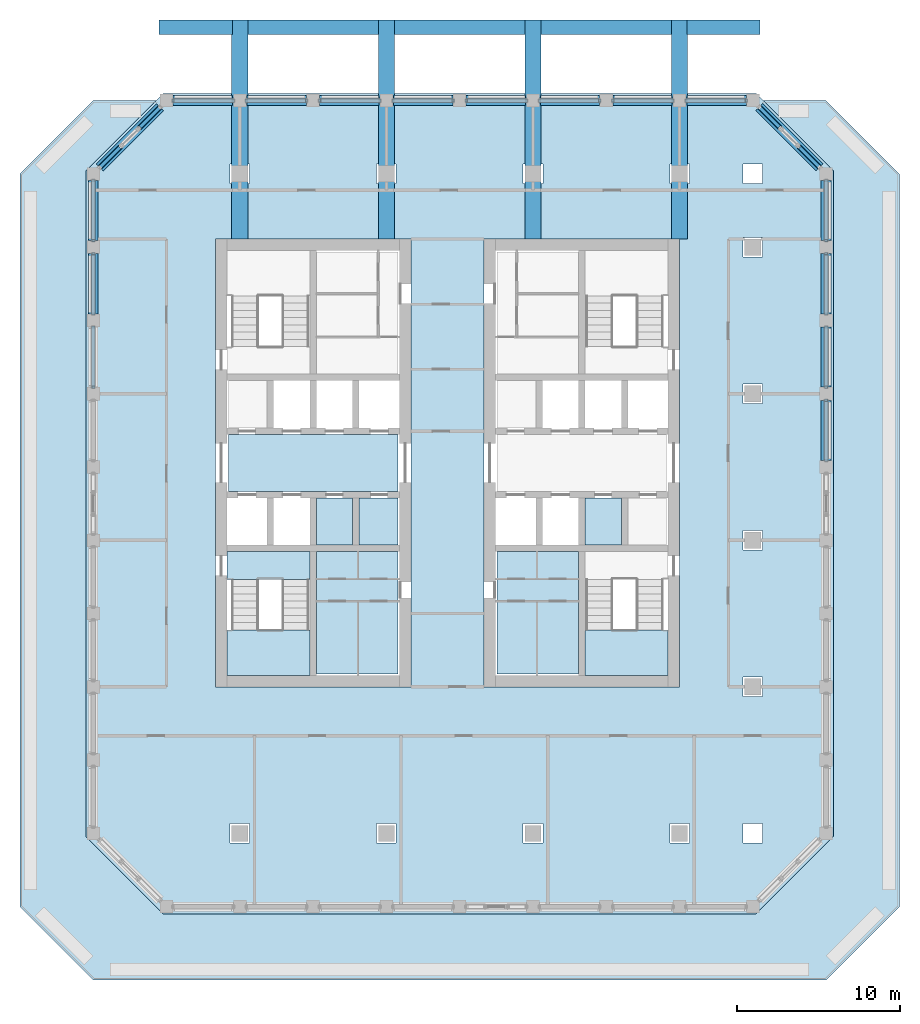
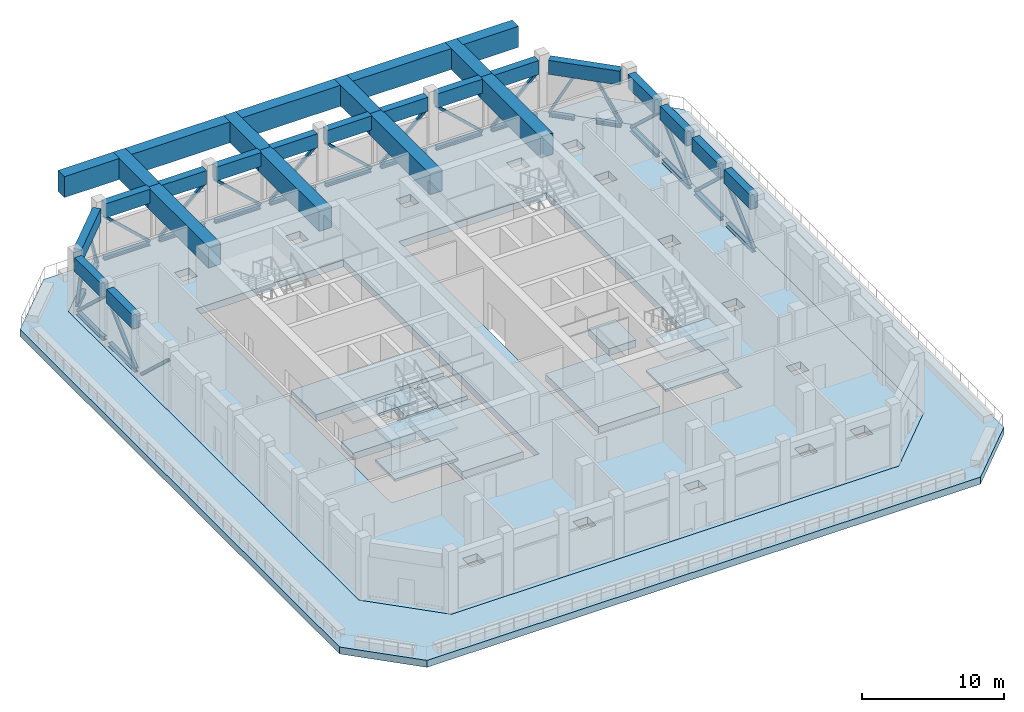
# One storey, part 2 of 19: 37 members, 29 beams, 14 slabs, 2 elements without a shape of their own.
"""IFC4 building model written with IfcOpenShell, lengths in metres."""

from ifc_helpers import new_model, si_unit, direction, frame, origin, origin_2d, place, context, subcontext, project, spatial, polyline, rectangle, hollow_rectangle, i_section, outline, extrude, material, layer, layer_set, material_profile, profile_set, type_object, element, aggregate, save


model = new_model("IFC4")

# Units and contexts
model_context = context("Model", 3, precision=1e-05, world=origin(), true_north=direction((0.0, 1.0)))
body_context = subcontext(model_context, "Body", "Model", "MODEL_VIEW")
ifc_project = project(units=[si_unit("LENGTHUNIT", "METRE"), si_unit("AREAUNIT", "SQUARE_METRE"), si_unit("VOLUMEUNIT", "CUBIC_METRE"), si_unit("PLANEANGLEUNIT", "RADIAN"), si_unit("MASSUNIT", "GRAM", prefix="KILO")], contexts=[model_context])

# Site, building, storey
site_placement = place(None, origin())
site = spatial("IfcSite", under=ifc_project, at=site_placement, CompositionType="ELEMENT")
building_placement = place(site_placement, origin())
building = spatial("IfcBuilding", under=site, at=building_placement, Name="Corbel Stack Research Tower", CompositionType="ELEMENT")
storey_placement = place(building_placement, frame((0.0, 0.0, 226.199951171875)))
storey = spatial("IfcBuildingStorey", under=building, at=storey_placement, Name="L51", CompositionType="ELEMENT", Elevation=226.199951171875)

# Members
ifc_material_1 = material(Name="Steel S355", Category="steel")
ifc_material_profile_1 = material_profile(ifc_material_1, i_section(OverallWidth=0.304931640625, OverallDepth=0.30810546875, WebThickness=0.010009765625, FlangeThickness=0.014892578125, at=origin_2d()), Name="W12x65")
ifc_profile_set_1 = profile_set([ifc_material_profile_1], Name="Steel S355")
member_type_1 = type_object("IfcMemberType", Name="BC-65", PredefinedType="CHORD", material=ifc_profile_set_1)
for number, where, z_axis, x_axis, name in (
    (1, (27.0, 4.89990234375, 0.154052734375), (0.0, 1.0, 0.0), (-1.0, 0.0, 0.0), "Belt truss chord L51-15"),
    (2, (27.0, 9.39990234375, 0.154052734375), (0.0, 1.0, 0.0), (-1.0, 0.0, 0.0), "Belt truss chord L51-16"),
    (3, (27.0, 13.89990234375, 0.154052734375), (0.0, 1.0, 0.0), (-1.0, 0.0, 0.0), "Belt truss chord L51-17"),
    (4, (27.0, 18.39990234375, 0.154052734375), (0.0, 1.0, 0.0), (-1.0, 0.0, 0.0), "Belt truss chord L51-18"),
):
    element("IfcMember", number, at=place(storey_placement, frame(where, z_axis=z_axis, x_axis=x_axis)), inside=storey, type_object=member_type_1, Name=name, PredefinedType="CHORD", context=body_context, shape_type="SweptSolid", body=[
        extrude(i_section(OverallWidth=0.304931640625, OverallDepth=0.30810546875, WebThickness=0.010009765625, FlangeThickness=0.014892578125, at=origin_2d()), origin(), (0.0, 0.0, 1.0), 3.7001953125),
    ])
for number, where, z_axis, x_axis, name in (
    (5, (26.60009765625, 22.89990234375, 0.154052734375), (-0.707106781187, 0.707106781187, 0.0), (-0.707106781187, -0.707106781187, 0.0), "Belt truss chord L51-19a"),
    (6, (24.184326171875, 25.315673828125, 0.154052734375), (-0.707106781187, 0.707106781187, 0.0), (-0.707106781187, -0.707106781187, 0.0), "Belt truss chord L51-19b"),
):
    element("IfcMember", number, at=place(storey_placement, frame(where, z_axis=z_axis, x_axis=x_axis)), inside=storey, type_object=member_type_1, Name=name, PredefinedType="CHORD", context=body_context, shape_type="SweptSolid", body=[
        extrude(i_section(OverallWidth=0.304931640625, OverallDepth=0.30810546875, WebThickness=0.010009765625, FlangeThickness=0.014892578125, at=origin_2d()), origin(), (0.0, 0.0, 1.0), 1.81640625),
    ])
for number, where, z_axis, x_axis, name in (
    (7, (22.10009765625, 27.0, 0.154052734375), (-1.0, 0.0, 0.0), (0.0, -1.0, 0.0), "Belt truss chord L51-20"),
    (8, (17.60009765625, 27.0, 0.154052734375), (-1.0, 0.0, 0.0), (0.0, -1.0, 0.0), "Belt truss chord L51-21"),
    (9, (13.10009765625, 27.0, 0.154052734375), (-1.0, 0.0, 0.0), (0.0, -1.0, 0.0), "Belt truss chord L51-22"),
    (10, (8.60009765625, 27.0, 0.154052734375), (-1.0, 0.0, 0.0), (0.0, -1.0, 0.0), "Belt truss chord L51-23"),
    (11, (4.10009765625, 27.0, 0.154052734375), (-1.0, 0.0, 0.0), (0.0, -1.0, 0.0), "Belt truss chord L51-24"),
    (12, (-0.39990234375, 27.0, 0.154052734375), (-1.0, 0.0, 0.0), (0.0, -1.0, 0.0), "Belt truss chord L51-25"),
    (13, (-4.89990234375, 27.0, 0.154052734375), (-1.0, 0.0, 0.0), (0.0, -1.0, 0.0), "Belt truss chord L51-26"),
    (14, (-9.39990234375, 27.0, 0.154052734375), (-1.0, 0.0, 0.0), (0.0, -1.0, 0.0), "Belt truss chord L51-27"),
):
    element("IfcMember", number, at=place(storey_placement, frame(where, z_axis=z_axis, x_axis=x_axis)), inside=storey, type_object=member_type_1, Name=name, PredefinedType="CHORD", context=body_context, shape_type="SweptSolid", body=[
        extrude(i_section(OverallWidth=0.304931640625, OverallDepth=0.30810546875, WebThickness=0.010009765625, FlangeThickness=0.014892578125, at=origin_2d()), origin(), (0.0, 0.0, 1.0), 3.7001953125),
    ])
for number, where, z_axis, x_axis, name in (
    (15, (-13.89990234375, 26.60009765625, 0.154052734375), (-0.707106781187, -0.707106781187, 0.0), (0.707106781187, -0.707106781187, 0.0), "Belt truss chord L51-28a"),
    (16, (-16.315673828125, 24.184326171875, 0.154052734375), (-0.707106781187, -0.707106781187, 0.0), (0.707106781187, -0.707106781187, 0.0), "Belt truss chord L51-28b"),
):
    element("IfcMember", number, at=place(storey_placement, frame(where, z_axis=z_axis, x_axis=x_axis)), inside=storey, type_object=member_type_1, Name=name, PredefinedType="CHORD", context=body_context, shape_type="SweptSolid", body=[
        extrude(i_section(OverallWidth=0.304931640625, OverallDepth=0.30810546875, WebThickness=0.010009765625, FlangeThickness=0.014892578125, at=origin_2d()), origin(), (0.0, 0.0, 1.0), 1.81640625),
    ])
for number, where, z_axis, x_axis, name in (
    (17, (-18.0, 22.10009765625, 0.154052734375), (0.0, -1.0, 0.0), (1.0, 0.0, 0.0), "Belt truss chord L51-29"),
    (18, (-18.0, 17.60009765625, 0.154052734375), (0.0, -1.0, 0.0), (1.0, 0.0, 0.0), "Belt truss chord L51-30"),
):
    element("IfcMember", number, at=place(storey_placement, frame(where, z_axis=z_axis, x_axis=x_axis)), inside=storey, type_object=member_type_1, Name=name, PredefinedType="CHORD", context=body_context, shape_type="SweptSolid", body=[
        extrude(i_section(OverallWidth=0.304931640625, OverallDepth=0.30810546875, WebThickness=0.010009765625, FlangeThickness=0.014892578125, at=origin_2d()), origin(), (0.0, 0.0, 1.0), 3.7001953125),
    ])
ifc_material_2 = material(Name="Steel S355", Category="steel")
ifc_material_profile_2 = material_profile(ifc_material_2, hollow_rectangle(XDim=0.202880859375, YDim=0.202880859375, WallThickness=0.0087890625, at=origin_2d()), Name="HSS8x8x3/8")
ifc_profile_set_2 = profile_set([ifc_material_profile_2], Name="Steel S355")
member_type_2 = type_object("IfcMemberType", Name="BD-8", PredefinedType="BRACE", material=ifc_profile_set_2)
for number, where, z_axis, x_axis, name in (
    (19, (27.0, 4.89990234375, 0.30810546875), (0.0, 0.73220130553, 0.681088282222), (-1.0, 0.0, 0.0), "Belt truss diagonal L51-15"),
    (20, (27.0, 13.10009765625, 0.30810546875), (0.0, -0.73220130553, 0.681088282222), (1.0, 0.0, 0.0), "Belt truss diagonal L51-16"),
    (21, (27.0, 13.89990234375, 0.30810546875), (0.0, 0.73220130553, 0.681088282222), (-1.0, 0.0, 0.0), "Belt truss diagonal L51-17"),
    (22, (27.0, 22.10009765625, 0.30810546875), (0.0, -0.73220130553, 0.681088282222), (1.0, 0.0, 0.0), "Belt truss diagonal L51-18"),
):
    element("IfcMember", number, at=place(storey_placement, frame(where, z_axis=z_axis, x_axis=x_axis)), inside=storey, type_object=member_type_2, Name=name, PredefinedType="BRACE", context=body_context, shape_type="SweptSolid", body=[
        extrude(hollow_rectangle(XDim=0.202880859375, YDim=0.202880859375, WallThickness=0.0087890625, at=origin_2d()), origin(), (0.0, 0.0, 1.0), 5.053466796875),
    ])
for number, where, z_axis, x_axis, name in (
    (23, (26.60009765625, 22.89990234375, 0.30810546875), (-0.330033142977, 0.330033142977, 0.884395979793), (-0.707106781187, -0.707106781187, 0.0), "Belt truss diagonal L51-19a"),
    (24, (22.89990234375, 26.60009765625, 0.30810546875), (0.330033142977, -0.330033142977, 0.884395979793), (0.707106781187, 0.707106781187, 0.0), "Belt truss diagonal L51-19b"),
):
    element("IfcMember", number, at=place(storey_placement, frame(where, z_axis=z_axis, x_axis=x_axis)), inside=storey, type_object=member_type_2, Name=name, PredefinedType="BRACE", context=body_context, shape_type="SweptSolid", body=[
        extrude(hollow_rectangle(XDim=0.202880859375, YDim=0.202880859375, WallThickness=0.0087890625, at=origin_2d()), origin(), (0.0, 0.0, 1.0), 3.891845703125),
    ])
for number, where, z_axis, x_axis, name in (
    (25, (18.39990234375, 27.0, 0.30810546875), (0.73220130553, 0.0, 0.681088282222), (0.0, 1.0, 0.0), "Belt truss diagonal L51-20"),
    (26, (17.60009765625, 27.0, 0.30810546875), (-0.73220130553, 0.0, 0.681088282222), (0.0, -1.0, 0.0), "Belt truss diagonal L51-21"),
    (27, (9.39990234375, 27.0, 0.30810546875), (0.73220130553, 0.0, 0.681088282222), (0.0, 1.0, 0.0), "Belt truss diagonal L51-22"),
    (28, (8.60009765625, 27.0, 0.30810546875), (-0.73220130553, 0.0, 0.681088282222), (0.0, -1.0, 0.0), "Belt truss diagonal L51-23"),
    (29, (0.39990234375, 27.0, 0.30810546875), (0.73220130553, 0.0, 0.681088282222), (0.0, 1.0, 0.0), "Belt truss diagonal L51-24"),
    (30, (-0.39990234375, 27.0, 0.30810546875), (-0.73220130553, 0.0, 0.681088282222), (0.0, -1.0, 0.0), "Belt truss diagonal L51-25"),
    (31, (-8.60009765625, 27.0, 0.30810546875), (0.73220130553, 0.0, 0.681088282222), (0.0, 1.0, 0.0), "Belt truss diagonal L51-26"),
    (32, (-9.39990234375, 27.0, 0.30810546875), (-0.73220130553, 0.0, 0.681088282222), (0.0, -1.0, 0.0), "Belt truss diagonal L51-27"),
):
    element("IfcMember", number, at=place(storey_placement, frame(where, z_axis=z_axis, x_axis=x_axis)), inside=storey, type_object=member_type_2, Name=name, PredefinedType="BRACE", context=body_context, shape_type="SweptSolid", body=[
        extrude(hollow_rectangle(XDim=0.202880859375, YDim=0.202880859375, WallThickness=0.0087890625, at=origin_2d()), origin(), (0.0, 0.0, 1.0), 5.053466796875),
    ])
for number, where, z_axis, x_axis, name in (
    (33, (-13.89990234375, 26.60009765625, 0.30810546875), (-0.330033142977, -0.330033142977, 0.884395979793), (0.707106781187, -0.707106781187, 0.0), "Belt truss diagonal L51-28a"),
    (34, (-17.60009765625, 22.89990234375, 0.30810546875), (0.330033142977, 0.330033142977, 0.884395979793), (-0.707106781187, 0.707106781187, 0.0), "Belt truss diagonal L51-28b"),
):
    element("IfcMember", number, at=place(storey_placement, frame(where, z_axis=z_axis, x_axis=x_axis)), inside=storey, type_object=member_type_2, Name=name, PredefinedType="BRACE", context=body_context, shape_type="SweptSolid", body=[
        extrude(hollow_rectangle(XDim=0.202880859375, YDim=0.202880859375, WallThickness=0.0087890625, at=origin_2d()), origin(), (0.0, 0.0, 1.0), 3.891845703125),
    ])
for number, where, z_axis, x_axis, name in (
    (35, (-18.0, 22.10009765625, 0.30810546875), (0.0, -0.73220130553, 0.681088282222), (1.0, 0.0, 0.0), "Belt truss diagonal L51-29"),
    (36, (-18.0, 13.89990234375, 0.30810546875), (0.0, 0.73220130553, 0.681088282222), (-1.0, 0.0, 0.0), "Belt truss diagonal L51-30"),
    (37, (-18.0, 13.10009765625, 0.30810546875), (0.0, -0.73220130553, 0.681088282222), (1.0, 0.0, 0.0), "Belt truss diagonal L51-31"),
):
    element("IfcMember", number, at=place(storey_placement, frame(where, z_axis=z_axis, x_axis=x_axis)), inside=storey, type_object=member_type_2, Name=name, PredefinedType="BRACE", context=body_context, shape_type="SweptSolid", body=[
        extrude(hollow_rectangle(XDim=0.202880859375, YDim=0.202880859375, WallThickness=0.0087890625, at=origin_2d()), origin(), (0.0, 0.0, 1.0), 5.053466796875),
    ])

# Beams
ifc_material_3 = material(Name="Concrete C60/75", Category="concrete")
ifc_material_profile_3 = material_profile(ifc_material_3, rectangle(XDim=0.60009765625, YDim=1.199951171875, at=origin_2d()), Name="RC 600 x 1200")
ifc_profile_set_3 = profile_set([ifc_material_profile_3], Name="Concrete C60/75")
beam_type_1 = type_object("IfcBeamType", Name="SB-600-1200-450", PredefinedType="SPANDREL", material=ifc_profile_set_3)
for number, where, z_axis, x_axis, name in (
    (38, (27.0, 4.89990234375, 4.35009765625), (0.0, 1.0, 0.0), (-1.0, 0.0, 0.0), "Spandrel beam L51-15"),
    (39, (27.0, 9.39990234375, 4.35009765625), (0.0, 1.0, 0.0), (-1.0, 0.0, 0.0), "Spandrel beam L51-16"),
    (40, (27.0, 13.89990234375, 4.35009765625), (0.0, 1.0, 0.0), (-1.0, 0.0, 0.0), "Spandrel beam L51-17"),
    (41, (27.0, 18.39990234375, 4.35009765625), (0.0, 1.0, 0.0), (-1.0, 0.0, 0.0), "Spandrel beam L51-18"),
):
    element("IfcBeam", number, at=place(storey_placement, frame(where, z_axis=z_axis, x_axis=x_axis)), inside=storey, type_object=beam_type_1, Name=name, PredefinedType="SPANDREL", context=body_context, shape_type="SweptSolid", body=[
        extrude(rectangle(XDim=0.60009765625, YDim=1.199951171875, at=origin_2d()), origin(), (0.0, 0.0, 1.0), 3.7001953125),
    ])
beam_1_placement = place(storey_placement, frame((26.60009765625, 22.89990234375, 4.35009765625), z_axis=(-0.707106781187, 0.707106781187, 0.0), x_axis=(-0.707106781187, -0.707106781187, 0.0)))
element("IfcBeam", 42, at=beam_1_placement, inside=storey, type_object=beam_type_1, Name="Spandrel beam L51-19", PredefinedType="SPANDREL", context=body_context, shape_type="SweptSolid", body=[
    extrude(rectangle(XDim=0.60009765625, YDim=1.199951171875, at=origin_2d()), origin(), (0.0, 0.0, 1.0), 5.23291015625),
])
for number, where, z_axis, x_axis, name in (
    (43, (22.10009765625, 27.0, 4.35009765625), (-1.0, 0.0, 0.0), (0.0, -1.0, 0.0), "Spandrel beam L51-20"),
    (44, (17.550048828125, 27.0, 4.35009765625), (-1.0, 0.0, 0.0), (0.0, -1.0, 0.0), "Spandrel beam L51-21"),
    (45, (13.10009765625, 27.0, 4.35009765625), (-1.0, 0.0, 0.0), (0.0, -1.0, 0.0), "Spandrel beam L51-22"),
    (46, (8.550048828125, 27.0, 4.35009765625), (-1.0, 0.0, 0.0), (0.0, -1.0, 0.0), "Spandrel beam L51-23"),
    (47, (4.10009765625, 27.0, 4.35009765625), (-1.0, 0.0, 0.0), (0.0, -1.0, 0.0), "Spandrel beam L51-24"),
    (48, (-0.449951171875, 27.0, 4.35009765625), (-1.0, 0.0, 0.0), (0.0, -1.0, 0.0), "Spandrel beam L51-25"),
    (49, (-4.89990234375, 27.0, 4.35009765625), (-1.0, 0.0, 0.0), (0.0, -1.0, 0.0), "Spandrel beam L51-26"),
    (50, (-9.449951171875, 27.0, 4.35009765625), (-1.0, 0.0, 0.0), (0.0, -1.0, 0.0), "Spandrel beam L51-27"),
):
    element("IfcBeam", number, at=place(storey_placement, frame(where, z_axis=z_axis, x_axis=x_axis)), inside=storey, type_object=beam_type_1, Name=name, PredefinedType="SPANDREL", context=body_context, shape_type="SweptSolid", body=[
        extrude(rectangle(XDim=0.60009765625, YDim=1.199951171875, at=origin_2d()), origin(), (0.0, 0.0, 1.0), 3.650146484375),
    ])
beam_2_placement = place(storey_placement, frame((-13.89990234375, 26.60009765625, 4.35009765625), z_axis=(-0.707106781187, -0.707106781187, 0.0), x_axis=(0.707106781187, -0.707106781187, 0.0)))
element("IfcBeam", 51, at=beam_2_placement, inside=storey, type_object=beam_type_1, Name="Spandrel beam L51-28", PredefinedType="SPANDREL", context=body_context, shape_type="SweptSolid", body=[
    extrude(rectangle(XDim=0.60009765625, YDim=1.199951171875, at=origin_2d()), origin(), (0.0, 0.0, 1.0), 5.23291015625),
])
for number, where, z_axis, x_axis, name in (
    (52, (-18.0, 22.10009765625, 4.35009765625), (0.0, -1.0, 0.0), (1.0, 0.0, 0.0), "Spandrel beam L51-29"),
    (53, (-18.0, 17.60009765625, 4.35009765625), (0.0, -1.0, 0.0), (1.0, 0.0, 0.0), "Spandrel beam L51-30"),
):
    element("IfcBeam", number, at=place(storey_placement, frame(where, z_axis=z_axis, x_axis=x_axis)), inside=storey, type_object=beam_type_1, Name=name, PredefinedType="SPANDREL", context=body_context, shape_type="SweptSolid", body=[
        extrude(rectangle(XDim=0.60009765625, YDim=1.199951171875, at=origin_2d()), origin(), (0.0, 0.0, 1.0), 3.7001953125),
    ])
ifc_material_4 = material(Name="Concrete C60/75", Category="concrete")
ifc_material_profile_4 = material_profile(ifc_material_4, rectangle(XDim=1.0, YDim=1.800048828125, at=origin_2d()), Name="RC 1000 x 1800")
ifc_profile_set_4 = profile_set([ifc_material_profile_4], Name="Concrete C60/75")
beam_type_2 = type_object("IfcBeamType", Name="TG-1000-1800", PredefinedType="BEAM", material=ifc_profile_set_4)
beam_3_placement = place(storey_placement, frame((-9.0, 31.949951171875, 4.050048828125), z_axis=(0.0, -1.0, 0.0), x_axis=(1.0, 0.0, 0.0)))
element("IfcBeam", 54, at=beam_3_placement, inside=storey, type_object=beam_type_2, Name="Transfer girder L51 N-9c", PredefinedType="BEAM", context=body_context, shape_type="SweptSolid", body=[
    extrude(rectangle(XDim=1.0, YDim=1.800048828125, at=origin_2d()), origin(), (0.0, 0.0, 1.0), 4.949951171875),
])
beam_4_placement = place(storey_placement, frame((-9.0, 27.0, 4.050048828125), z_axis=(0.0, -1.0, 0.0), x_axis=(1.0, 0.0, 0.0)))
element("IfcBeam", 55, at=beam_4_placement, inside=storey, type_object=beam_type_2, Name="Transfer girder L51 N-9b", PredefinedType="BEAM", context=body_context, shape_type="SweptSolid", body=[
    extrude(rectangle(XDim=1.0, YDim=1.800048828125, at=origin_2d()), origin(), (0.0, 0.0, 1.0), 8.5),
])
beam_5_placement = place(storey_placement, frame((0.0, 31.949951171875, 4.050048828125), z_axis=(0.0, -1.0, 0.0), x_axis=(1.0, 0.0, 0.0)))
element("IfcBeam", 56, at=beam_5_placement, inside=storey, type_object=beam_type_2, Name="Transfer girder L51 N0c", PredefinedType="BEAM", context=body_context, shape_type="SweptSolid", body=[
    extrude(rectangle(XDim=1.0, YDim=1.800048828125, at=origin_2d()), origin(), (0.0, 0.0, 1.0), 4.949951171875),
])
beam_6_placement = place(storey_placement, frame((0.0, 27.0, 4.050048828125), z_axis=(0.0, -1.0, 0.0), x_axis=(1.0, 0.0, 0.0)))
element("IfcBeam", 57, at=beam_6_placement, inside=storey, type_object=beam_type_2, Name="Transfer girder L51 N0b", PredefinedType="BEAM", context=body_context, shape_type="SweptSolid", body=[
    extrude(rectangle(XDim=1.0, YDim=1.800048828125, at=origin_2d()), origin(), (0.0, 0.0, 1.0), 8.5),
])
beam_7_placement = place(storey_placement, frame((9.0, 31.949951171875, 4.050048828125), z_axis=(0.0, -1.0, 0.0), x_axis=(1.0, 0.0, 0.0)))
element("IfcBeam", 58, at=beam_7_placement, inside=storey, type_object=beam_type_2, Name="Transfer girder L51 N9c", PredefinedType="BEAM", context=body_context, shape_type="SweptSolid", body=[
    extrude(rectangle(XDim=1.0, YDim=1.800048828125, at=origin_2d()), origin(), (0.0, 0.0, 1.0), 4.949951171875),
])
beam_8_placement = place(storey_placement, frame((9.0, 27.0, 4.050048828125), z_axis=(0.0, -1.0, 0.0), x_axis=(1.0, 0.0, 0.0)))
element("IfcBeam", 59, at=beam_8_placement, inside=storey, type_object=beam_type_2, Name="Transfer girder L51 N9b", PredefinedType="BEAM", context=body_context, shape_type="SweptSolid", body=[
    extrude(rectangle(XDim=1.0, YDim=1.800048828125, at=origin_2d()), origin(), (0.0, 0.0, 1.0), 8.5),
])
beam_9_placement = place(storey_placement, frame((18.0, 31.949951171875, 4.050048828125), z_axis=(0.0, -1.0, 0.0), x_axis=(1.0, 0.0, 0.0)))
element("IfcBeam", 60, at=beam_9_placement, inside=storey, type_object=beam_type_2, Name="Transfer girder L51 N18c", PredefinedType="BEAM", context=body_context, shape_type="SweptSolid", body=[
    extrude(rectangle(XDim=1.0, YDim=1.800048828125, at=origin_2d()), origin(), (0.0, 0.0, 1.0), 4.949951171875),
])
beam_10_placement = place(storey_placement, frame((18.0, 27.0, 4.050048828125), z_axis=(0.0, -1.0, 0.0), x_axis=(1.0, 0.0, 0.0)))
element("IfcBeam", 61, at=beam_10_placement, inside=storey, type_object=beam_type_2, Name="Transfer girder L51 N18b", PredefinedType="BEAM", context=body_context, shape_type="SweptSolid", body=[
    extrude(rectangle(XDim=1.0, YDim=1.800048828125, at=origin_2d()), origin(), (0.0, 0.0, 1.0), 8.5),
])
ifc_material_5 = material(Name="Concrete C60/75", Category="concrete")
ifc_material_profile_5 = material_profile(ifc_material_5, rectangle(XDim=0.89990234375, YDim=1.800048828125, at=origin_2d()), Name="RC 900 x 1800")
ifc_profile_set_5 = profile_set([ifc_material_profile_5], Name="Concrete C60/75")
beam_type_3 = type_object("IfcBeamType", Name="TG-900-1800", PredefinedType="BEAM", material=ifc_profile_set_5)
for number, where, z_axis, x_axis, name in (
    (62, (-8.550048828125, 31.5, 4.050048828125), (1.0, 0.0, 0.0), (0.0, 1.0, 0.0), "Transfer edge beam L51 Ne-9"),
    (63, (0.449951171875, 31.5, 4.050048828125), (1.0, 0.0, 0.0), (0.0, 1.0, 0.0), "Transfer edge beam L51 Ne0"),
    (64, (9.449951171875, 31.5, 4.050048828125), (1.0, 0.0, 0.0), (0.0, 1.0, 0.0), "Transfer edge beam L51 Ne9"),
):
    element("IfcBeam", number, at=place(storey_placement, frame(where, z_axis=z_axis, x_axis=x_axis)), inside=storey, type_object=beam_type_3, Name=name, PredefinedType="BEAM", context=body_context, shape_type="SweptSolid", body=[
        extrude(rectangle(XDim=0.89990234375, YDim=1.800048828125, at=origin_2d()), origin(), (0.0, 0.0, 1.0), 8.10009765625),
    ])
for number, where, z_axis, x_axis, name in (
    (65, (18.449951171875, 31.5, 4.050048828125), (1.0, 0.0, 0.0), (0.0, 1.0, 0.0), "Transfer edge beam L51 Nehi"),
    (66, (-13.949951171875, 31.5, 4.050048828125), (1.0, 0.0, 0.0), (0.0, 1.0, 0.0), "Transfer edge beam L51 Nelo"),
):
    element("IfcBeam", number, at=place(storey_placement, frame(where, z_axis=z_axis, x_axis=x_axis)), inside=storey, type_object=beam_type_3, Name=name, PredefinedType="BEAM", context=body_context, shape_type="SweptSolid", body=[
        extrude(rectangle(XDim=0.89990234375, YDim=1.800048828125, at=origin_2d()), origin(), (0.0, 0.0, 1.0), 4.5),
    ])

# Slabs
ifc_material_6 = material(Name="Concrete C45/55", Category="concrete")
ifc_layer_1 = layer(ifc_material_6, 0.60009765625)
ifc_layer_set_1 = layer_set([ifc_layer_1], Name="Concrete C45/55")
slab_type_1 = type_object("IfcSlabType", Name="PT-600", PredefinedType="FLOOR", material=ifc_layer_set_1)
slab_1_placement = place(storey_placement, frame((0.0, 0.0, -0.599853515625)))
element("IfcSlab", 67, at=slab_1_placement, inside=storey, type_object=slab_type_1, Name="Floor slab L51", PredefinedType="FLOOR", context=body_context, shape_type="SweptSolid", body=[
    extrude(outline(polyline([(-13.686279296875, -22.949951171875), (22.686279296875, -22.949951171875), (27.449951171875, -18.186279296875), (27.449951171875, 22.686279296875), (22.686279296875, 27.449951171875), (-13.686279296875, 27.449951171875), (-18.449951171875, 22.686279296875), (-18.449951171875, -18.186279296875), (-13.686279296875, -22.949951171875)]), holes=[polyline([(23.10009765625, 21.89990234375), (21.89990234375, 21.89990234375), (21.89990234375, 23.10009765625), (23.10009765625, 23.10009765625), (23.10009765625, 21.89990234375)]), polyline([(23.10009765625, 17.39990234375), (21.89990234375, 17.39990234375), (21.89990234375, 18.60009765625), (23.10009765625, 18.60009765625), (23.10009765625, 17.39990234375)]), polyline([(23.10009765625, 8.39990234375), (21.89990234375, 8.39990234375), (21.89990234375, 9.60009765625), (23.10009765625, 9.60009765625), (23.10009765625, 8.39990234375)]), polyline([(23.10009765625, -0.60009765625), (21.89990234375, -0.60009765625), (21.89990234375, 0.60009765625), (23.10009765625, 0.60009765625), (23.10009765625, -0.60009765625)]), polyline([(23.10009765625, -9.60009765625), (21.89990234375, -9.60009765625), (21.89990234375, -8.39990234375), (23.10009765625, -8.39990234375), (23.10009765625, -9.60009765625)]), polyline([(23.10009765625, -18.60009765625), (21.89990234375, -18.60009765625), (21.89990234375, -17.39990234375), (23.10009765625, -17.39990234375), (23.10009765625, -18.60009765625)]), polyline([(18.60009765625, 21.89990234375), (17.39990234375, 21.89990234375), (17.39990234375, 23.10009765625), (18.60009765625, 23.10009765625), (18.60009765625, 21.89990234375)]), polyline([(18.60009765625, -18.60009765625), (17.39990234375, -18.60009765625), (17.39990234375, -17.39990234375), (18.60009765625, -17.39990234375), (18.60009765625, -18.60009765625)]), polyline([(18.0, -9.0), (6.0, -9.0), (6.0, 18.5), (18.0, 18.5), (18.0, -9.0)]), polyline([(9.60009765625, 21.89990234375), (8.39990234375, 21.89990234375), (8.39990234375, 23.10009765625), (9.60009765625, 23.10009765625), (9.60009765625, 21.89990234375)]), polyline([(9.60009765625, -18.60009765625), (8.39990234375, -18.60009765625), (8.39990234375, -17.39990234375), (9.60009765625, -17.39990234375), (9.60009765625, -18.60009765625)]), polyline([(1.5, -9.0), (-10.5, -9.0), (-10.5, 18.5), (1.5, 18.5), (1.5, -9.0)]), polyline([(0.60009765625, 21.89990234375), (-0.60009765625, 21.89990234375), (-0.60009765625, 23.10009765625), (0.60009765625, 23.10009765625), (0.60009765625, 21.89990234375)]), polyline([(0.60009765625, -18.60009765625), (-0.60009765625, -18.60009765625), (-0.60009765625, -17.39990234375), (0.60009765625, -17.39990234375), (0.60009765625, -18.60009765625)]), polyline([(-8.39990234375, 21.89990234375), (-9.60009765625, 21.89990234375), (-9.60009765625, 23.10009765625), (-8.39990234375, 23.10009765625), (-8.39990234375, 21.89990234375)]), polyline([(-8.39990234375, -18.60009765625), (-9.60009765625, -18.60009765625), (-9.60009765625, -17.39990234375), (-8.39990234375, -17.39990234375), (-8.39990234375, -18.60009765625)])]), origin(), (0.0, 0.0, 1.0), 0.599853515625),
])
slab_2_placement = place(storey_placement, frame((0.0, 0.0, -0.599853515625)))
element("IfcSlab", 68, at=slab_2_placement, inside=storey, type_object=slab_type_1, Name="West core floor L51", PredefinedType="FLOOR", context=body_context, shape_type="SweptSolid", body=[
    extrude(outline(polyline([(0.699951171875, 6.5), (-9.699951171875, 6.5), (-9.699951171875, 3.0), (0.699951171875, 3.0), (0.699951171875, 6.5)])), origin(), (0.0, 0.0, 1.0), 0.599853515625),
])
slab_3_placement = place(storey_placement, frame((0.0, 0.0, -0.599853515625)))
element("IfcSlab", 69, at=slab_3_placement, inside=storey, type_object=slab_type_1, Name="West core floor L51", PredefinedType="FLOOR", context=body_context, shape_type="SweptSolid", body=[
    extrude(outline(polyline([(-4.300048828125, -0.699951171875), (-4.300048828125, -8.199951171875), (0.699951171875, -8.199951171875), (0.699951171875, -0.699951171875), (-4.300048828125, -0.699951171875)])), origin(), (0.0, 0.0, 1.0), 0.599853515625),
])
slab_4_placement = place(storey_placement, frame((0.0, 0.0, -0.599853515625)))
element("IfcSlab", 70, at=slab_4_placement, inside=storey, type_object=slab_type_1, Name="West core floor L51", PredefinedType="FLOOR", context=body_context, shape_type="SweptSolid", body=[
    extrude(outline(polyline([(-2.074951171875, -0.300048828125), (-2.074951171875, 2.60009765625), (-4.300048828125, 2.60009765625), (-4.300048828125, -0.300048828125), (-2.074951171875, -0.300048828125)])), origin(), (0.0, 0.0, 1.0), 0.599853515625),
])
slab_5_placement = place(storey_placement, frame((0.0, 0.0, -0.599853515625)))
element("IfcSlab", 71, at=slab_5_placement, inside=storey, type_object=slab_type_1, Name="West core floor L51", PredefinedType="FLOOR", context=body_context, shape_type="SweptSolid", body=[
    extrude(outline(polyline([(0.699951171875, -0.300048828125), (0.699951171875, 2.60009765625), (-1.675048828125, 2.60009765625), (-1.675048828125, -0.300048828125), (0.699951171875, -0.300048828125)])), origin(), (0.0, 0.0, 1.0), 0.599853515625),
])
slab_6_placement = place(storey_placement, frame((0.0, 0.0, -0.599853515625)))
element("IfcSlab", 72, at=slab_6_placement, inside=storey, type_object=slab_type_1, Name="East core floor L51", PredefinedType="FLOOR", context=body_context, shape_type="SweptSolid", body=[
    extrude(outline(polyline([(6.800048828125, -0.699951171875), (6.800048828125, -8.199951171875), (11.800048828125, -8.199951171875), (11.800048828125, -0.699951171875), (6.800048828125, -0.699951171875)])), origin(), (0.0, 0.0, 1.0), 0.599853515625),
])
slab_7_placement = place(storey_placement, frame((0.0, 0.0, -0.599853515625)))
element("IfcSlab", 73, at=slab_7_placement, inside=storey, type_object=slab_type_1, Name="East core floor L51", PredefinedType="FLOOR", context=body_context, shape_type="SweptSolid", body=[
    extrude(outline(polyline([(14.425048828125, -0.300048828125), (14.425048828125, 2.60009765625), (12.199951171875, 2.60009765625), (12.199951171875, -0.300048828125), (14.425048828125, -0.300048828125)])), origin(), (0.0, 0.0, 1.0), 0.599853515625),
])
slab_8_placement = place(storey_placement, frame((0.0, 0.0, -0.599853515625)))
element("IfcSlab", 74, at=slab_8_placement, inside=storey, type_object=slab_type_1, Name="Stair floor landing ST-W1", PredefinedType="FLOOR", context=body_context, shape_type="SweptSolid", body=[
    extrude(outline(polyline([(-9.800048828125, -2.39990234375), (-4.699951171875, -2.39990234375), (-4.699951171875, -0.699951171875), (-9.800048828125, -0.699951171875), (-9.800048828125, -2.39990234375)])), origin(), (0.0, 0.0, 1.0), 0.599853515625),
])

# Stair, slabs
ifc_material_7 = material(Name="Concrete C40/50", Category="concrete")
stair_type = type_object("IfcStairType", Name="Exit stair 32 risers, 443 going", PredefinedType="HALF_TURN_STAIR", material=ifc_material_7)
stair_1_placement = place(storey_placement, origin())
stair_1 = element("IfcStair", 75, at=stair_1_placement, inside=storey, type_object=stair_type, Name="L51 Exit stair ST-W1", PredefinedType="HALF_TURN_STAIR")
ifc_material_8 = material(Name="Concrete C40/50", Category="concrete")
ifc_layer_2 = layer(ifc_material_8, 0.199951171875)
ifc_layer_set_2 = layer_set([ifc_layer_2], Name="Concrete C40/50")
slab_type_2 = type_object("IfcSlabType", Name="Stair landing 200 C40/50", PredefinedType="LANDING", material=ifc_layer_set_2)
slab_9_placement = place(storey_placement, frame((0.0, 0.0, 1.150146484375)))
slab_9 = element("IfcSlab", 76, at=slab_9_placement, type_object=slab_type_2, Name="ST-W1 landing 1", PredefinedType="LANDING", context=body_context, shape_type="SweptSolid", body=[
    extrude(outline(polyline([(-9.800048828125, -8.300048828125), (-9.800048828125, -5.5009765625), (-4.699951171875, -5.5009765625), (-4.699951171875, -8.300048828125), (-9.800048828125, -8.300048828125)])), origin(), (0.0, 0.0, 1.0), 0.199951171875),
])
slab_10_placement = place(storey_placement, frame((0.0, 0.0, 2.5)))
slab_10 = element("IfcSlab", 77, at=slab_10_placement, type_object=slab_type_2, Name="ST-W1 landing 2", PredefinedType="LANDING", context=body_context, shape_type="SweptSolid", body=[
    extrude(outline(polyline([(-9.800048828125, -2.39990234375), (-9.800048828125, -0.699951171875), (-4.699951171875, -0.699951171875), (-4.699951171875, -2.39990234375), (-9.800048828125, -2.39990234375)])), origin(), (0.0, 0.0, 1.0), 0.199951171875),
])
slab_11_placement = place(storey_placement, frame((0.0, 0.0, 3.85009765625)))
slab_11 = element("IfcSlab", 78, at=slab_11_placement, type_object=slab_type_2, Name="ST-W1 landing 3", PredefinedType="LANDING", context=body_context, shape_type="SweptSolid", body=[
    extrude(outline(polyline([(-9.800048828125, -8.300048828125), (-9.800048828125, -5.5009765625), (-4.699951171875, -5.5009765625), (-4.699951171875, -8.300048828125), (-9.800048828125, -8.300048828125)])), origin(), (0.0, 0.0, 1.0), 0.199951171875),
])
aggregate(stair_1, [slab_9, slab_10, slab_11])

stair_2_placement = place(storey_placement, origin())
stair_2 = element("IfcStair", 79, at=stair_2_placement, inside=storey, type_object=stair_type, Name="L51 Exit stair ST-E1", PredefinedType="HALF_TURN_STAIR")
slab_12_placement = place(storey_placement, frame((0.0, 0.0, 1.150146484375)))
slab_12 = element("IfcSlab", 80, at=slab_12_placement, type_object=slab_type_2, Name="ST-E1 landing 1", PredefinedType="LANDING", context=body_context, shape_type="SweptSolid", body=[
    extrude(outline(polyline([(12.199951171875, -8.300048828125), (12.199951171875, -5.5009765625), (17.300048828125, -5.5009765625), (17.300048828125, -8.300048828125), (12.199951171875, -8.300048828125)])), origin(), (0.0, 0.0, 1.0), 0.199951171875),
])
slab_13_placement = place(storey_placement, frame((0.0, 0.0, 3.85009765625)))
slab_13 = element("IfcSlab", 81, at=slab_13_placement, type_object=slab_type_2, Name="ST-E1 landing 3", PredefinedType="LANDING", context=body_context, shape_type="SweptSolid", body=[
    extrude(outline(polyline([(12.199951171875, -8.300048828125), (12.199951171875, -5.5009765625), (17.300048828125, -5.5009765625), (17.300048828125, -8.300048828125), (12.199951171875, -8.300048828125)])), origin(), (0.0, 0.0, 1.0), 0.199951171875),
])
aggregate(stair_2, [slab_12, slab_13])

# Slab
ifc_material_9 = material(Name="Concrete C45/55", Category="concrete")
ifc_layer_3 = layer(ifc_material_9, 0.60009765625)
ifc_layer_set_3 = layer_set([ifc_layer_3], Name="Concrete C45/55")
slab_type_3 = type_object("IfcSlabType", Name="TS-600", PredefinedType="ROOF", material=ifc_layer_set_3)
slab_14_placement = place(storey_placement, frame((0.0, 0.0, -0.599853515625)))
element("IfcSlab", 82, at=slab_14_placement, inside=storey, type_object=slab_type_3, Name="Terrace slab L51", PredefinedType="ROOF", context=body_context, shape_type="SweptSolid", body=[
    extrude(outline(polyline([(23.136474609375, 27.0), (27.449951171875, 22.686279296875), (27.449951171875, -18.186279296875), (22.686279296875, -22.949951171875), (-13.686279296875, -22.949951171875), (-18.449951171875, -18.186279296875), (-18.449951171875, 22.686279296875), (-14.136474609375, 27.0), (-18.0, 27.0), (-22.5, 22.5), (-22.5, -22.5), (-18.0, -27.0), (27.0, -27.0), (31.5, -22.5), (31.5, 22.5), (27.0, 27.0), (23.136474609375, 27.0)])), origin(), (0.0, 0.0, 1.0), 0.599853515625),
])

save(model, "model.ifc")
